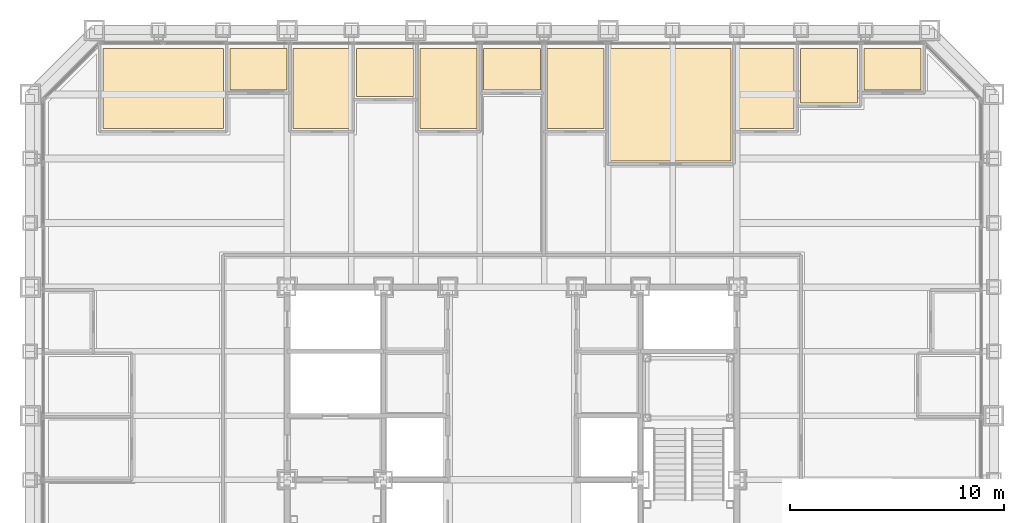
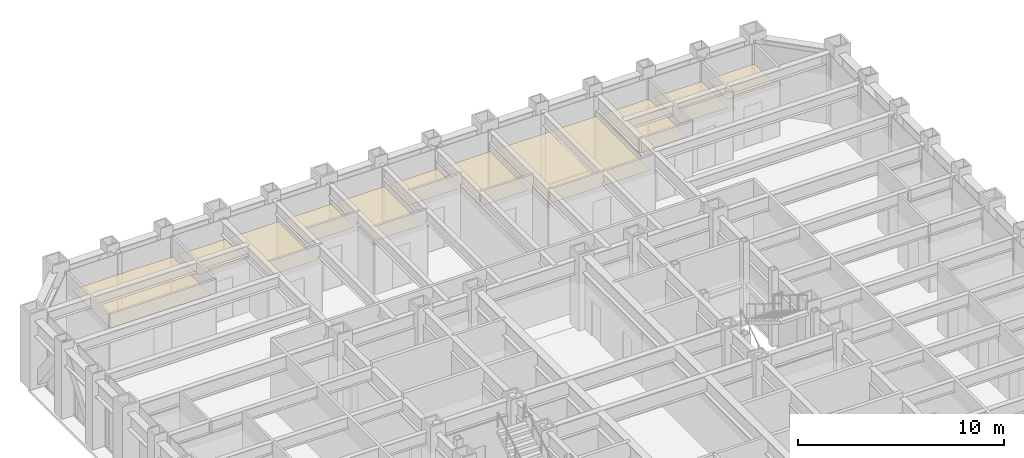
# One storey, part 16 of 16: 11 coverings.
"""IFC4 building model written with IfcOpenShell, lengths in metres."""

from ifc_helpers import new_model, si_unit, direction, frame, origin, place, context, subcontext, project, spatial, polyline, outline, extrude, material, layer, layer_set, type_object, element, save


model = new_model("IFC4")

# Units and contexts
model_context = context("Model", 3, precision=1e-05, world=origin(), true_north=direction((0.0, 1.0)))
body_context = subcontext(model_context, "Body", "Model", "MODEL_VIEW")
ifc_project = project(units=[si_unit("LENGTHUNIT", "METRE"), si_unit("AREAUNIT", "SQUARE_METRE"), si_unit("VOLUMEUNIT", "CUBIC_METRE"), si_unit("PLANEANGLEUNIT", "RADIAN"), si_unit("MASSUNIT", "GRAM", prefix="KILO")], contexts=[model_context])

# Site, building, storey
site_placement = place(None, origin())
site = spatial("IfcSite", under=ifc_project, at=site_placement, CompositionType="ELEMENT")
building_placement = place(site_placement, origin())
building = spatial("IfcBuilding", under=site, at=building_placement, Name="Chuquiago Exchange Tower", CompositionType="ELEMENT")
storey_placement = place(building_placement, frame((0.0, 0.0, 51.300048828125)))
storey = spatial("IfcBuildingStorey", under=building, at=storey_placement, Name="L10", CompositionType="ELEMENT", Elevation=51.300048828125)

# Coverings
ifc_material = material(Name="Mineral fibre tile, 600 x 600, on pale metal grid", Category="mineral fibre")
ifc_layer = layer(ifc_material, 0.02001953125)
ifc_layer_set = layer_set([ifc_layer], Name="CL1 suspended tile ceiling 20")
covering_type = type_object("IfcCoveringType", Name="CL1 suspended tile ceiling 20", PredefinedType="CEILING", material=ifc_layer_set)
covering_1_placement = place(storey_placement, frame((0.0, 0.0, 3.0)))
element("IfcCovering", 1, at=covering_1_placement, inside=storey, type_object=covering_type, Name="Ceiling Meeting room", PredefinedType="CEILING", context=body_context, shape_type="SweptSolid", body=[
    extrude(outline(polyline([(9.022216796875, 44.14990234375), (9.022216796875, 40.39990234375), (3.3984375, 40.39990234375), (3.3984375, 44.14990234375), (9.022216796875, 44.14990234375)])), origin(), (0.0, 0.0, 1.0), 0.02001953125),
])
covering_2_placement = place(storey_placement, frame((0.0, 0.0, 3.0)))
element("IfcCovering", 2, at=covering_2_placement, inside=storey, type_object=covering_type, Name="Ceiling Focus room", PredefinedType="CEILING", context=body_context, shape_type="SweptSolid", body=[
    extrude(outline(polyline([(11.98388671875, 42.199951171875), (9.322021484375, 42.199951171875), (9.322021484375, 44.14990234375), (11.98388671875, 44.14990234375), (11.98388671875, 42.199951171875)])), origin(), (0.0, 0.0, 1.0), 0.02001953125),
])
covering_3_placement = place(storey_placement, frame((0.0, 0.0, 3.0)))
element("IfcCovering", 3, at=covering_3_placement, inside=storey, type_object=covering_type, Name="Ceiling Office", PredefinedType="CEILING", context=body_context, shape_type="SweptSolid", body=[
    extrude(outline(polyline([(14.945556640625, 40.39990234375), (12.28369140625, 40.39990234375), (12.28369140625, 44.14990234375), (14.945556640625, 44.14990234375), (14.945556640625, 40.39990234375)])), origin(), (0.0, 0.0, 1.0), 0.02001953125),
])
covering_4_placement = place(storey_placement, frame((0.0, 0.0, 3.0)))
element("IfcCovering", 4, at=covering_4_placement, inside=storey, type_object=covering_type, Name="Ceiling Store", PredefinedType="CEILING", context=body_context, shape_type="SweptSolid", body=[
    extrude(outline(polyline([(17.907470703125, 41.89990234375), (15.24560546875, 41.89990234375), (15.24560546875, 44.14990234375), (17.907470703125, 44.14990234375), (17.907470703125, 41.89990234375)])), origin(), (0.0, 0.0, 1.0), 0.02001953125),
])
covering_5_placement = place(storey_placement, frame((0.0, 0.0, 3.0)))
element("IfcCovering", 5, at=covering_5_placement, inside=storey, type_object=covering_type, Name="Ceiling Trading support room", PredefinedType="CEILING", context=body_context, shape_type="SweptSolid", body=[
    extrude(outline(polyline([(20.869140625, 40.39990234375), (18.20751953125, 40.39990234375), (18.20751953125, 44.14990234375), (20.869140625, 44.14990234375), (20.869140625, 40.39990234375)])), origin(), (0.0, 0.0, 1.0), 0.02001953125),
])
covering_6_placement = place(storey_placement, frame((0.0, 0.0, 3.0)))
element("IfcCovering", 6, at=covering_6_placement, inside=storey, type_object=covering_type, Name="Ceiling Focus room", PredefinedType="CEILING", context=body_context, shape_type="SweptSolid", body=[
    extrude(outline(polyline([(23.830810546875, 42.199951171875), (21.169189453125, 42.199951171875), (21.169189453125, 44.14990234375), (23.830810546875, 44.14990234375), (23.830810546875, 42.199951171875)])), origin(), (0.0, 0.0, 1.0), 0.02001953125),
])
covering_7_placement = place(storey_placement, frame((0.0, 0.0, 3.0)))
element("IfcCovering", 7, at=covering_7_placement, inside=storey, type_object=covering_type, Name="Ceiling Office", PredefinedType="CEILING", context=body_context, shape_type="SweptSolid", body=[
    extrude(outline(polyline([(26.79248046875, 40.39990234375), (24.130859375, 40.39990234375), (24.130859375, 44.14990234375), (26.79248046875, 44.14990234375), (26.79248046875, 40.39990234375)])), origin(), (0.0, 0.0, 1.0), 0.02001953125),
])
covering_8_placement = place(storey_placement, frame((0.0, 0.0, 3.0)))
element("IfcCovering", 8, at=covering_8_placement, inside=storey, type_object=covering_type, Name="Ceiling Market data room", PredefinedType="CEILING", context=body_context, shape_type="SweptSolid", body=[
    extrude(outline(polyline([(32.71630859375, 38.89990234375), (27.092529296875, 38.89990234375), (27.092529296875, 44.14990234375), (32.71630859375, 44.14990234375), (32.71630859375, 38.89990234375)])), origin(), (0.0, 0.0, 1.0), 0.02001953125),
])
covering_9_placement = place(storey_placement, frame((0.0, 0.0, 3.0)))
element("IfcCovering", 9, at=covering_9_placement, inside=storey, type_object=covering_type, Name="Ceiling Office", PredefinedType="CEILING", context=body_context, shape_type="SweptSolid", body=[
    extrude(outline(polyline([(35.677978515625, 40.39990234375), (33.01611328125, 40.39990234375), (33.01611328125, 44.14990234375), (35.677978515625, 44.14990234375), (35.677978515625, 40.39990234375)])), origin(), (0.0, 0.0, 1.0), 0.02001953125),
])
covering_10_placement = place(storey_placement, frame((0.0, 0.0, 3.0)))
element("IfcCovering", 10, at=covering_10_placement, inside=storey, type_object=covering_type, Name="Ceiling Pantry", PredefinedType="CEILING", context=body_context, shape_type="SweptSolid", body=[
    extrude(outline(polyline([(38.6396484375, 41.60009765625), (35.977783203125, 41.60009765625), (35.977783203125, 44.14990234375), (38.6396484375, 44.14990234375), (38.6396484375, 41.60009765625)])), origin(), (0.0, 0.0, 1.0), 0.02001953125),
])
covering_11_placement = place(storey_placement, frame((0.0, 0.0, 3.0)))
element("IfcCovering", 11, at=covering_11_placement, inside=storey, type_object=covering_type, Name="Ceiling Focus room", PredefinedType="CEILING", context=body_context, shape_type="SweptSolid", body=[
    extrude(outline(polyline([(41.6015625, 42.199951171875), (38.939697265625, 42.199951171875), (38.939697265625, 44.14990234375), (41.6015625, 44.14990234375), (41.6015625, 42.199951171875)])), origin(), (0.0, 0.0, 1.0), 0.02001953125),
])

save(model, "model.ifc")
